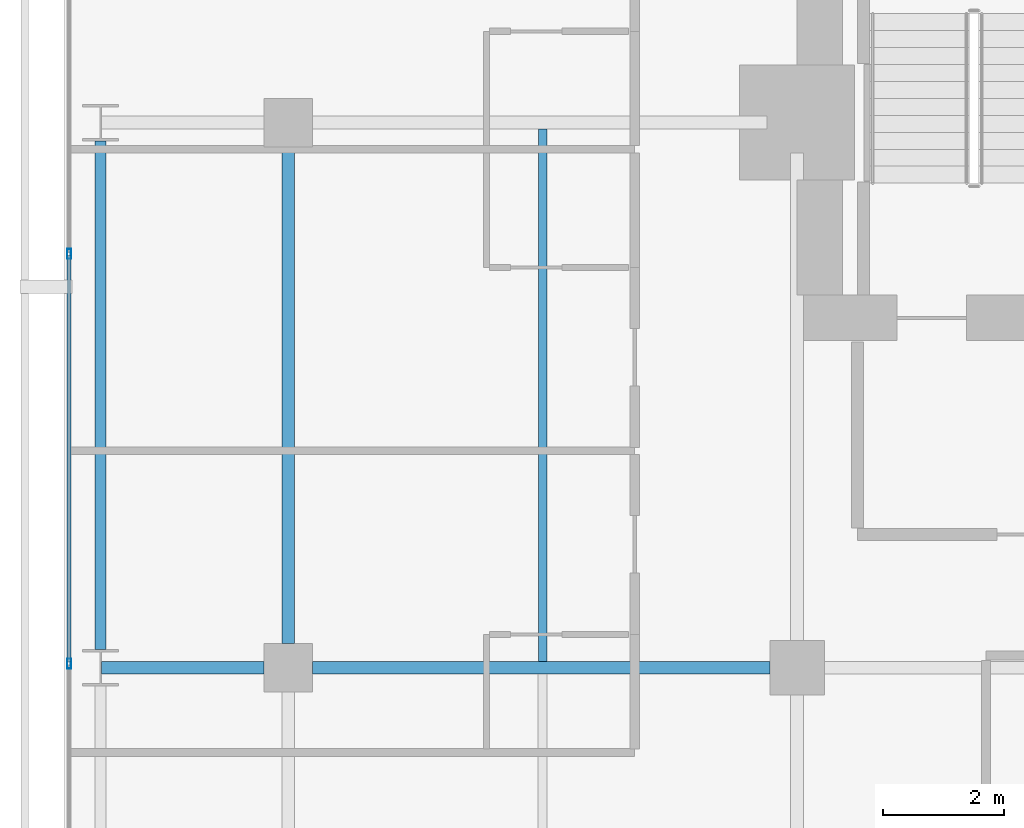
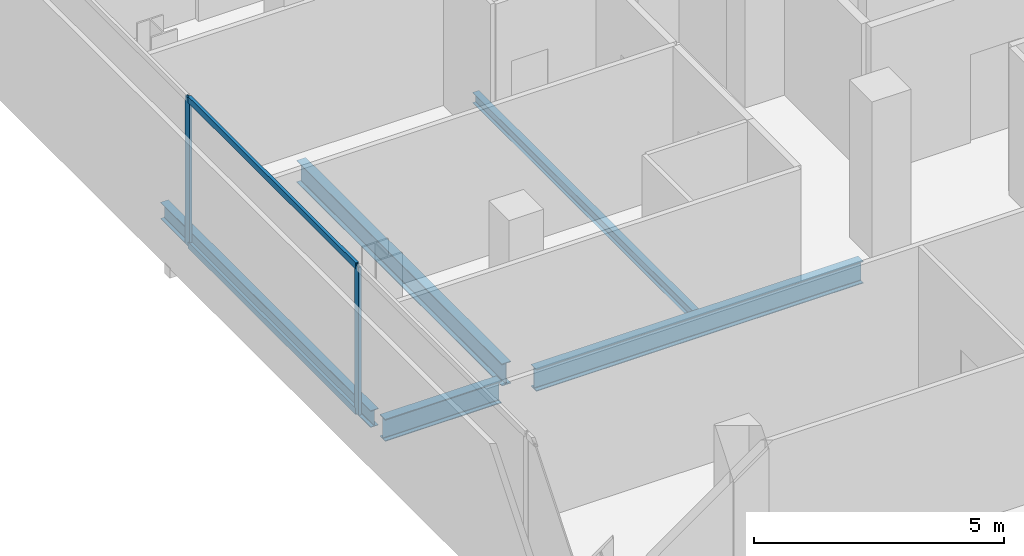
# One storey, part 18 of 34: 5 beams, 4 members, 1 element without a shape of its own.
"""IFC4 building model written with IfcOpenShell, lengths in metres."""

import ifcopenshell
import ifcopenshell.guid

model = None  # the IFC model being written
_history = None  # IfcOwnerHistory: only IFC2X3 demands one
_inside = {}  # id of a spatial element -> (the spatial element, [elements in it])
_under = {}  # id of a project, library or spatial element -> (it, [spatial elements below it])
_declared = {}  # id of a project -> (the project, [libraries it declares])
_typed = {}  # id of a type object -> (the type object, [elements of that type])
_made_of = {}  # id of a material, layer set ... -> (it, [elements and type objects made of it])


def new_model(schema):
    """Start an empty IFC model of exactly this schema.

    Asked for "IFC4X3", IfcOpenShell would pick the latest addendum, in which some entities
    have other attributes; the version numbers below select the first issue.
    IFC2X3 requires an IfcOwnerHistory on every rooted entity: one is made here for all.
    """
    global model, _history
    if schema == "IFC4X3":
        model = ifcopenshell.file(schema_version=(4, 3, 0, 0))
    else:
        model = ifcopenshell.file(schema=schema)
    _inside.clear()
    _under.clear()
    _declared.clear()
    _typed.clear()
    _made_of.clear()
    _history = None
    if model.schema == "IFC2X3":
        org = make("IfcOrganization", Name="unknown")
        user = make(
            "IfcPersonAndOrganization",
            ThePerson=make("IfcPerson", FamilyName="unknown"),
            TheOrganization=org,
        )
        app = make(
            "IfcApplication",
            ApplicationDeveloper=org,
            Version="unknown",
            ApplicationFullName="unknown",
            ApplicationIdentifier="unknown",
        )
        _history = make(
            "IfcOwnerHistory",
            OwningUser=user,
            OwningApplication=app,
            ChangeAction="ADDED",
            CreationDate=0,
        )
    return model


def make(cls, **values):
    """One entity of the class cls with the attributes given. An attribute that is None is left unset."""
    return model.create_entity(
        cls, **{name: value for name, value in values.items() if value is not None}
    )


def rooted(cls, **values):
    """An entity with a GlobalId (a new one), such as an element, a storey or a relation."""
    return make(cls, GlobalId=ifcopenshell.guid.new(), OwnerHistory=_history, **values)


def si_unit(unit_type, name, prefix=None):
    """IfcSIUnit, for example si_unit("LENGTHUNIT", "METRE", prefix="MILLI")."""
    return make("IfcSIUnit", UnitType=unit_type, Prefix=prefix, Name=name)


def assignment(units):
    """IfcUnitAssignment: the units of a project."""
    return None if units is None else make("IfcUnitAssignment", Units=units)


def point(xyz):
    """IfcCartesianPoint."""
    return None if xyz is None else make("IfcCartesianPoint", Coordinates=xyz)


def direction(xyz):
    """IfcDirection."""
    return None if xyz is None else make("IfcDirection", DirectionRatios=xyz)


def frame(location, z_axis=None, x_axis=None):
    """IfcAxis2Placement3D, a coordinate frame: its origin and axes. An axis left out is left unset."""
    return make(
        "IfcAxis2Placement3D",
        Location=point(location),
        Axis=direction(z_axis),
        RefDirection=direction(x_axis),
    )


def frame_2d(location, x_axis=None):
    """IfcAxis2Placement2D, a coordinate frame in the plane: its origin and x axis."""
    return make(
        "IfcAxis2Placement2D", Location=point(location), RefDirection=direction(x_axis)
    )


def origin():
    """The frame at (0, 0, 0) with its axes left unset."""
    return frame((0.0, 0.0, 0.0))


def origin_2d():
    """The frame at (0, 0) in the plane with its x axis left unset."""
    return frame_2d((0.0, 0.0))


def place(relative_to, where):
    """IfcLocalPlacement: puts the frame where relative to a parent placement (None: the world)."""
    return make(
        "IfcLocalPlacement", PlacementRelTo=relative_to, RelativePlacement=where
    )


def context(
    kind, dimensions, precision=None, world=None, true_north=None, identifier=None
):
    """IfcGeometricRepresentationContext, for example the 3D "Model" context."""
    return make(
        "IfcGeometricRepresentationContext",
        ContextIdentifier=identifier,
        ContextType=kind,
        CoordinateSpaceDimension=dimensions,
        Precision=precision,
        WorldCoordinateSystem=world,
        TrueNorth=true_north,
    )


def subcontext(parent, identifier, kind, view, scale=None):
    """IfcGeometricRepresentationSubContext, for example "Body" below "Model"."""
    return make(
        "IfcGeometricRepresentationSubContext",
        ContextIdentifier=identifier,
        ContextType=kind,
        ParentContext=parent,
        TargetScale=scale,
        TargetView=view,
    )


def project(units=None, contexts=None):
    """IfcProject with its units and contexts."""
    return rooted(
        "IfcProject",
        Name="project",
        RepresentationContexts=contexts,
        UnitsInContext=assignment(units),
    )


def spatial(cls, under=None, at=None, **own):
    """A site, building, storey or space (cls), placed at a placement, below another one or the project."""
    s = rooted(cls, ObjectPlacement=at, **own)
    if under is not None:
        _under.setdefault(under.id(), (under, []))[1].append(s)
    return s


def profile(cls, at=None, kind="AREA", **sizes):
    """A parametric profile (cls). Its sizes go by their IFC names, for example OverallWidth=200.0."""
    return make(cls, ProfileType=kind, Position=at, **sizes)


def hollow_rectangle(**sizes):
    """IfcRectangleHollowProfileDef."""
    return profile("IfcRectangleHollowProfileDef", **sizes)


def i_section(**sizes):
    """IfcIShapeProfileDef."""
    return profile("IfcIShapeProfileDef", **sizes)


def extrude(swept, where, along, depth):
    """IfcExtrudedAreaSolid: the profile swept, set in the frame where, extruded along a direction by depth."""
    return make(
        "IfcExtrudedAreaSolid",
        SweptArea=swept,
        Position=where,
        ExtrudedDirection=direction(along),
        Depth=depth,
    )


def shape(context_of_items, identifier, shape_type, items):
    """IfcShapeRepresentation: the items that make up one representation, for example the "Body"."""
    return make(
        "IfcShapeRepresentation",
        ContextOfItems=context_of_items,
        RepresentationIdentifier=identifier,
        RepresentationType=shape_type,
        Items=items,
    )


def material(Name=None, Category=None):
    """IfcMaterial."""
    return make("IfcMaterial", Name=Name, Category=Category)


def layer(
    of_material, thickness, ventilated=None, Name=None, Category=None, Priority=None
):
    """IfcMaterialLayer: one layer of a wall or slab, of a material (None: an air gap)."""
    return make(
        "IfcMaterialLayer",
        Material=of_material,
        LayerThickness=thickness,
        IsVentilated=ventilated,
        Name=Name,
        Category=Category,
        Priority=Priority,
    )


def layer_set(layers, Name=None):
    """IfcMaterialLayerSet."""
    return make("IfcMaterialLayerSet", MaterialLayers=layers, LayerSetName=Name)


def material_profile(
    of_material, cross_section, Name=None, Category=None, Priority=None
):
    """IfcMaterialProfile: a cross section and its material."""
    return make(
        "IfcMaterialProfile",
        Name=Name,
        Material=of_material,
        Profile=cross_section,
        Priority=Priority,
        Category=Category,
    )


def profile_set(profiles, Name=None, composite=None):
    """IfcMaterialProfileSet."""
    return make(
        "IfcMaterialProfileSet",
        Name=Name,
        MaterialProfiles=profiles,
        CompositeProfile=composite,
    )


def made_of(thing, what):
    """Note that an element or type object is made of a material, layer set ...; save() writes the relation."""
    if what is not None:
        _made_of.setdefault(what.id(), (what, []))[1].append(thing)
    return thing


def type_object(cls, material=None, **own):
    """A type object (cls), such as IfcWallType, which elements share."""
    return made_of(rooted(cls, **own), material)


def element(
    cls,
    number,
    at=None,
    inside=None,
    cuts=None,
    type_object=None,
    material=None,
    context=None,
    identifier="Body",
    shape_type=None,
    held_by="IfcProductDefinitionShape",
    body=None,
    shapes=None,
    **own,
):
    """One element of the class cls, such as IfcWall. Its Tag is "e" and its number.

    at: its placement. inside: the storey or other place that contains it. cuts: it is an
    opening in that element (IfcRelVoidsElement). A single representation is given by context,
    identifier, shape_type and body (its items); several are given by shapes. held_by: the class
    of the entity that holds the representations. save() writes the other relations.
    """
    e = rooted(cls, Tag="e%d" % number, ObjectPlacement=at, **own)
    if body is not None:
        shapes = [shape(context, identifier, shape_type, body)]
    if shapes is not None:
        e.Representation = make(held_by, Representations=shapes)
    if inside is not None:
        _inside.setdefault(inside.id(), (inside, []))[1].append(e)
    if cuts is not None:
        rooted(
            "IfcRelVoidsElement", RelatingBuildingElement=cuts, RelatedOpeningElement=e
        )
    if type_object is not None:
        _typed.setdefault(type_object.id(), (type_object, []))[1].append(e)
    return made_of(e, material)


def aggregate(whole, parts):
    """IfcRelAggregates: a whole, such as a stair, and the parts it consists of."""
    return rooted("IfcRelAggregates", RelatingObject=whole, RelatedObjects=parts)


def save(model, path):
    """Write the relations noted so far, then the file.

    IfcRelAggregates (storeys below a building ...), IfcRelContainedInSpatialStructure (elements
    in a storey), IfcRelDefinesByType, IfcRelAssociatesMaterial and IfcRelDeclares: one each for
    every whole, place, type object, material and project.
    """
    for whole, parts in _under.values():
        aggregate(whole, parts)
    for where, things in _inside.values():
        rooted(
            "IfcRelContainedInSpatialStructure",
            RelatedElements=things,
            RelatingStructure=where,
        )
    for kind, things in _typed.values():
        rooted("IfcRelDefinesByType", RelatedObjects=things, RelatingType=kind)
    for what, things in _made_of.values():
        rooted("IfcRelAssociatesMaterial", RelatedObjects=things, RelatingMaterial=what)
    for by, libraries in _declared.values():
        rooted("IfcRelDeclares", RelatingContext=by, RelatedDefinitions=libraries)
    model.write(path)


model = new_model("IFC4")

# Units and contexts
model_context = context("Model", 3, precision=1e-05, world=origin(), true_north=direction((0.0, 1.0)))
body_context = subcontext(model_context, "Body", "Model", "MODEL_VIEW")
ifc_project = project(units=[si_unit("LENGTHUNIT", "METRE"), si_unit("AREAUNIT", "SQUARE_METRE"), si_unit("VOLUMEUNIT", "CUBIC_METRE"), si_unit("PLANEANGLEUNIT", "RADIAN"), si_unit("MASSUNIT", "GRAM", prefix="KILO")], contexts=[model_context])

# Site, building, storey
site_placement = place(None, origin())
site = spatial("IfcSite", under=ifc_project, at=site_placement, CompositionType="ELEMENT")
building_placement = place(site_placement, origin())
building = spatial("IfcBuilding", under=site, at=building_placement, Name="Maruvema Waterfront Hotel and Observation Tower", CompositionType="ELEMENT")
storey_placement = place(building_placement, frame((0.0, 0.0, 215.949951171875)))
storey = spatial("IfcBuildingStorey", under=building, at=storey_placement, Name="L53", CompositionType="ELEMENT", Elevation=215.949951171875)

# Curtain wall, members
ifc_material_1 = material(Name="Anodised bronze aluminium and solar-control low-E IGU", Category="aluminium")
ifc_layer = layer(ifc_material_1, 0.159912109375, Name="Zone 2 Amber Inner Thermal Curtain Wall System CW-03")
ifc_layer_set = layer_set([ifc_layer], Name="Anodised bronze aluminium and solar-control low-E IGU")
curtain_wall_type = type_object("IfcCurtainWallType", Name="Zone 2 Amber Inner Thermal Curtain Wall System CW-03", PredefinedType="USERDEFINED", material=ifc_layer_set)
curtain_wall_placement = place(storey_placement, origin())
curtain_wall = element("IfcCurtainWall", 1, at=curtain_wall_placement, inside=storey, type_object=curtain_wall_type, Name="L53 Curtain Wall CW-L53-W", ObjectType="UNITISED CURTAIN WALL", PredefinedType="USERDEFINED")
ifc_material_2 = material(Name="Anodised architectural bronze aluminium", Category="aluminium")
ifc_material_profile_1 = material_profile(ifc_material_2, hollow_rectangle(XDim=0.070068359375, YDim=0.14990234375, WallThickness=0.00390625, at=origin_2d()), Name="ALU-T70x150")
ifc_profile_set_1 = profile_set([ifc_material_profile_1], Name="Anodised architectural bronze aluminium")
member_type_1 = type_object("IfcMemberType", Name="Curtain Wall Horizontal Transom ALU-T70x150", PredefinedType="USERDEFINED", material=ifc_profile_set_1)
member_1_placement = place(storey_placement, frame((13.179931640625, 42.80322265625, 0.030029296875), z_axis=(0.0, -1.0, 0.0), x_axis=(1.0, 0.0, 0.0)))
member_1 = element("IfcMember", 2, at=member_1_placement, type_object=member_type_1, Name="CW-03 transom 2.1", ObjectType="TRANSOM", PredefinedType="USERDEFINED", context=body_context, shape_type="SweptSolid", body=[
    extrude(hollow_rectangle(XDim=0.070068359375, YDim=0.14990234375, WallThickness=0.00390625, at=origin_2d()), origin(), (0.0, 0.0, 1.0), 6.70654296875),
])
member_2_placement = place(storey_placement, frame((13.179931640625, 42.80322265625, 3.580078125), z_axis=(0.0, -1.0, 0.0), x_axis=(1.0, 0.0, 0.0)))
member_2 = element("IfcMember", 3, at=member_2_placement, type_object=member_type_1, Name="CW-03 transom 2.2", ObjectType="TRANSOM", PredefinedType="USERDEFINED", context=body_context, shape_type="SweptSolid", body=[
    extrude(hollow_rectangle(XDim=0.070068359375, YDim=0.14990234375, WallThickness=0.00390625, at=origin_2d()), origin(), (0.0, 0.0, 1.0), 6.70654296875),
])
ifc_material_3 = material(Name="Anodised architectural bronze aluminium", Category="aluminium")
ifc_material_profile_2 = material_profile(ifc_material_3, hollow_rectangle(XDim=0.06494140625, YDim=0.1650390625, WallThickness=0.00390625, at=origin_2d()), Name="ALU-M65x165")
ifc_profile_set_2 = profile_set([ifc_material_profile_2], Name="Anodised architectural bronze aluminium")
member_type_2 = type_object("IfcMemberType", Name="Curtain Wall Primary Mullion ALU-M65x165", PredefinedType="MULLION", material=ifc_profile_set_2)
member_3_placement = place(storey_placement, frame((13.179931640625, 42.833251953125, 0.0), z_axis=(0.0, 0.0, 1.0), x_axis=(1.0, 0.0, 0.0)))
member_3 = element("IfcMember", 4, at=member_3_placement, type_object=member_type_2, Name="CW-03 mullion 2", PredefinedType="MULLION", context=body_context, shape_type="SweptSolid", body=[
    extrude(hollow_rectangle(XDim=0.06494140625, YDim=0.1650390625, WallThickness=0.00390625, at=origin_2d()), origin(), (0.0, 0.0, 1.0), 3.610107421875),
])
member_4_placement = place(storey_placement, frame((13.179931640625, 36.066650390625, 0.0), z_axis=(0.0, 0.0, 1.0), x_axis=(1.0, 0.0, 0.0)))
member_4 = element("IfcMember", 5, at=member_4_placement, type_object=member_type_2, Name="CW-03 mullion 3", PredefinedType="MULLION", context=body_context, shape_type="SweptSolid", body=[
    extrude(hollow_rectangle(XDim=0.06494140625, YDim=0.1650390625, WallThickness=0.00390625, at=origin_2d()), origin(), (0.0, 0.0, 1.0), 3.610107421875),
])
aggregate(curtain_wall, [member_3, member_4, member_1, member_2])

# Beams
ifc_material_4 = material(Name="Steel ASTM A572 Grade 50", Category="steel")
ifc_material_profile_3 = material_profile(ifc_material_4, i_section(OverallWidth=0.178955078125, OverallDepth=0.409912109375, WebThickness=0.0087890625, FlangeThickness=0.014404296875, FilletRadius=0.014892578125, at=origin_2d()), Name="W410x67.0")
ifc_profile_set_3 = profile_set([ifc_material_profile_3], Name="Steel ASTM A572 Grade 50")
beam_type_1 = type_object("IfcBeamType", Name="Perimeter Spandrel Beam W410x67.0", PredefinedType="SPANDREL", material=ifc_profile_set_3)
beam_1_placement = place(storey_placement, frame((13.699951171875, 36.300048828125, -0.445068359375), z_axis=(0.0, 1.0, 0.0), x_axis=(-1.0, 0.0, 0.0)))
element("IfcBeam", 6, at=beam_1_placement, inside=storey, type_object=beam_type_1, Name="L53 Floor Girder NS-04", PredefinedType="SPANDREL", context=body_context, shape_type="SweptSolid", body=[
    extrude(i_section(OverallWidth=0.178955078125, OverallDepth=0.409912109375, WebThickness=0.0087890625, FlangeThickness=0.014404296875, FilletRadius=0.014892578125, at=origin_2d()), origin(), (0.0, 0.0, 1.0), 8.39990234375),
])
ifc_material_5 = material(Name="Steel ASTM A572 Grade 50", Category="steel")
ifc_material_profile_4 = material_profile(ifc_material_5, i_section(OverallWidth=0.2109375, OverallDepth=0.5390625, WebThickness=0.01171875, FlangeThickness=0.018798828125, FilletRadius=0.014892578125, at=origin_2d()), Name="W530x109.0")
ifc_profile_set_4 = profile_set([ifc_material_profile_4], Name="Steel ASTM A572 Grade 50")
beam_type_2 = type_object("IfcBeamType", Name="Primary Floor Girder W530x109.0", PredefinedType="BEAM", material=ifc_profile_set_4)
beam_2_placement = place(storey_placement, frame((13.71240234375, 36.0, -0.509521484375), z_axis=(1.0, 0.0, 0.0), x_axis=(0.0, 1.0, 0.0)))
element("IfcBeam", 7, at=beam_2_placement, inside=storey, type_object=beam_type_2, Name="L53 Floor Girder EW-23", PredefinedType="BEAM", context=body_context, shape_type="SweptSolid", body=[
    extrude(i_section(OverallWidth=0.2109375, OverallDepth=0.5390625, WebThickness=0.01171875, FlangeThickness=0.018798828125, FilletRadius=0.014892578125, at=origin_2d()), origin(), (0.0, 0.0, 1.0), 2.6875),
])
beam_3_placement = place(storey_placement, frame((17.199951171875, 36.0, -0.509521484375), z_axis=(1.0, 0.0, 0.0), x_axis=(0.0, 1.0, 0.0)))
element("IfcBeam", 8, at=beam_3_placement, inside=storey, type_object=beam_type_2, Name="L53 Floor Girder EW-24", PredefinedType="BEAM", context=body_context, shape_type="SweptSolid", body=[
    extrude(i_section(OverallWidth=0.2109375, OverallDepth=0.5390625, WebThickness=0.01171875, FlangeThickness=0.018798828125, FilletRadius=0.014892578125, at=origin_2d()), origin(), (0.0, 0.0, 1.0), 7.550048828125),
])
beam_4_placement = place(storey_placement, frame((16.800048828125, 36.39990234375, -0.509521484375), z_axis=(0.0, 1.0, 0.0), x_axis=(-1.0, 0.0, 0.0)))
element("IfcBeam", 9, at=beam_4_placement, inside=storey, type_object=beam_type_2, Name="L53 Floor Girder NS-08", PredefinedType="BEAM", context=body_context, shape_type="SweptSolid", body=[
    extrude(i_section(OverallWidth=0.2109375, OverallDepth=0.5390625, WebThickness=0.01171875, FlangeThickness=0.018798828125, FilletRadius=0.014892578125, at=origin_2d()), origin(), (0.0, 0.0, 1.0), 8.2001953125),
])
ifc_material_6 = material(Name="Steel ASTM A572 Grade 50", Category="steel")
ifc_material_profile_5 = material_profile(ifc_material_6, i_section(OverallWidth=0.14599609375, OverallDepth=0.258056640625, WebThickness=0.006103515625, FlangeThickness=0.009033203125, FilletRadius=0.012939453125, at=origin_2d()), Name="W250x32.7")
ifc_profile_set_5 = profile_set([ifc_material_profile_5], Name="Steel ASTM A572 Grade 50")
beam_type_3 = type_object("IfcBeamType", Name="Secondary Floor Joist W250x32.7", PredefinedType="JOIST", material=ifc_profile_set_5)
beam_5_placement = place(storey_placement, frame((21.0, 36.10546875, -0.368896484375), z_axis=(0.0, 1.0, 0.0), x_axis=(-1.0, 0.0, 0.0)))
element("IfcBeam", 10, at=beam_5_placement, inside=storey, type_object=beam_type_3, Name="L53 Secondary Floor Joist JS-04", PredefinedType="JOIST", context=body_context, shape_type="SweptSolid", body=[
    extrude(i_section(OverallWidth=0.14599609375, OverallDepth=0.258056640625, WebThickness=0.006103515625, FlangeThickness=0.009033203125, FilletRadius=0.012939453125, at=origin_2d()), origin(), (0.0, 0.0, 1.0), 8.7890625),
])

save(model, "model.ifc")
